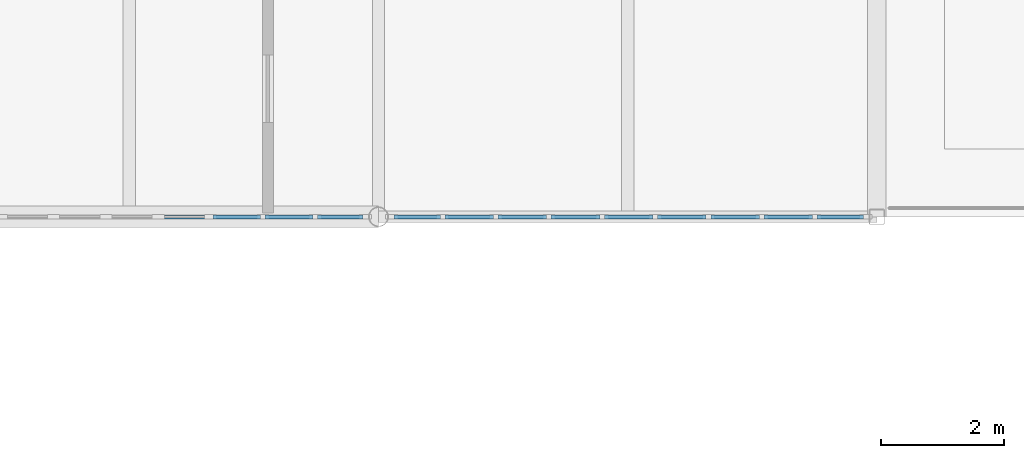
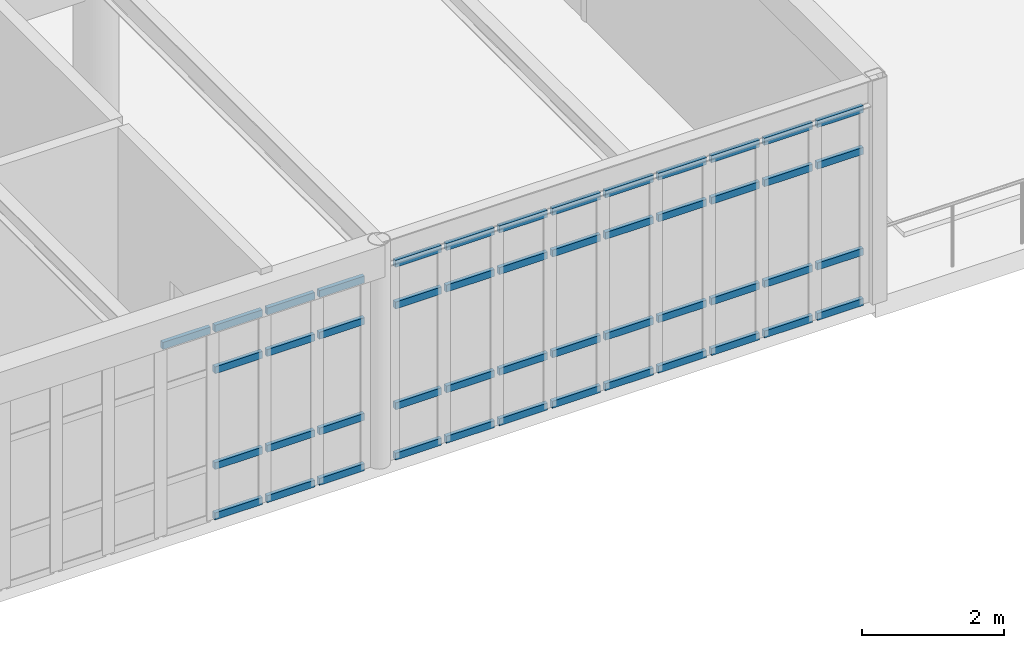
# One storey, part 20 of 36: 49 members, 2 elements without a shape of their own.
"""IFC4 building model written with IfcOpenShell, lengths in metres."""

from ifc_helpers import new_model, si_unit, direction, frame, origin, origin_2d, place, context, subcontext, project, spatial, rectangle, extrude, material, material_profile, profile_set, type_object, element, aggregate, save


model = new_model("IFC4")

# Units and contexts
model_context = context("Model", 3, precision=1e-05, world=origin(), true_north=direction((0.0, 1.0)))
body_context = subcontext(model_context, "Body", "Model", "MODEL_VIEW")
ifc_project = project(units=[si_unit("LENGTHUNIT", "METRE"), si_unit("AREAUNIT", "SQUARE_METRE"), si_unit("VOLUMEUNIT", "CUBIC_METRE"), si_unit("PLANEANGLEUNIT", "RADIAN"), si_unit("MASSUNIT", "GRAM", prefix="KILO")], contexts=[model_context])

# Site, building, storey
site_placement = place(None, origin())
site = spatial("IfcSite", under=ifc_project, at=site_placement, CompositionType="ELEMENT")
building_placement = place(site_placement, origin())
building = spatial("IfcBuilding", under=site, at=building_placement, Name="Tarnveldt Square Police Headquarters", CompositionType="ELEMENT")
storey_placement = place(building_placement, frame((0.0, 0.0, 24.89990234375)))
storey = spatial("IfcBuildingStorey", under=building, at=storey_placement, Name="L05", CompositionType="ELEMENT", Elevation=24.89990234375)

# Curtain wall, members
ifc_material_1 = material(Name="Triple-glazed low-e laminated vision glass", Category="glass")
curtain_wall_type_1 = type_object("IfcCurtainWallType", Name="CW-LB-766x330", PredefinedType="USERDEFINED", material=ifc_material_1)
curtain_wall_1_placement = place(storey_placement, origin())
curtain_wall_1 = element("IfcCurtainWall", 1, at=curtain_wall_1_placement, inside=storey, type_object=curtain_wall_type_1, Name="L05 Curtain Wall CW-L05-136", ObjectType="GLAZED CURTAIN WALL", PredefinedType="USERDEFINED")
ifc_material_2 = material(Name="Thermally broken anodised aluminium 6063-T6", Category="aluminium")
ifc_material_profile = material_profile(ifc_material_2, rectangle(XDim=0.06494140625, YDim=0.1201171875, at=origin_2d()), Name="CW-T65x120")
ifc_profile_set = profile_set([ifc_material_profile], Name="Thermally broken anodised aluminium 6063-T6")
member_type = type_object("IfcMemberType", Name="CWT-65x120", PredefinedType="USERDEFINED", material=ifc_profile_set)
member_1_placement = place(storey_placement, frame((77.45703125, 96.0, 3.26953125), z_axis=(1.0, 0.0, 0.0), x_axis=(0.0, 1.0, 0.0)))
member_1 = element("IfcMember", 2, at=member_1_placement, type_object=member_type, Name="CW-LB83 transom 6.4", ObjectType="TRANSOM", PredefinedType="USERDEFINED", context=body_context, shape_type="SweptSolid", body=[
    extrude(rectangle(XDim=0.06494140625, YDim=0.1201171875, at=origin_2d()), origin(), (0.0, 0.0, 1.0), 0.77587890625),
])
member_2_placement = place(storey_placement, frame((78.307861328125, 96.0, 0.03271484375), z_axis=(1.0, 0.0, 0.0), x_axis=(0.0, 1.0, 0.0)))
member_2 = element("IfcMember", 3, at=member_2_placement, type_object=member_type, Name="CW-LB83 transom 7.1", ObjectType="TRANSOM", PredefinedType="USERDEFINED", context=body_context, shape_type="SweptSolid", body=[
    extrude(rectangle(XDim=0.06494140625, YDim=0.1201171875, at=origin_2d()), origin(), (0.0, 0.0, 1.0), 0.77587890625),
])
member_3_placement = place(storey_placement, frame((78.307861328125, 96.0, 0.900146484375), z_axis=(1.0, 0.0, 0.0), x_axis=(0.0, 1.0, 0.0)))
member_3 = element("IfcMember", 4, at=member_3_placement, type_object=member_type, Name="CW-LB83 transom 7.2", ObjectType="TRANSOM", PredefinedType="USERDEFINED", context=body_context, shape_type="SweptSolid", body=[
    extrude(rectangle(XDim=0.06494140625, YDim=0.1201171875, at=origin_2d()), origin(), (0.0, 0.0, 1.0), 0.77587890625),
])
member_4_placement = place(storey_placement, frame((78.307861328125, 96.0, 2.552001953125), z_axis=(1.0, 0.0, 0.0), x_axis=(0.0, 1.0, 0.0)))
member_4 = element("IfcMember", 5, at=member_4_placement, type_object=member_type, Name="CW-LB83 transom 7.3", ObjectType="TRANSOM", PredefinedType="USERDEFINED", context=body_context, shape_type="SweptSolid", body=[
    extrude(rectangle(XDim=0.06494140625, YDim=0.1201171875, at=origin_2d()), origin(), (0.0, 0.0, 1.0), 0.77587890625),
])
member_5_placement = place(storey_placement, frame((78.307861328125, 96.0, 3.26953125), z_axis=(1.0, 0.0, 0.0), x_axis=(0.0, 1.0, 0.0)))
member_5 = element("IfcMember", 6, at=member_5_placement, type_object=member_type, Name="CW-LB83 transom 7.4", ObjectType="TRANSOM", PredefinedType="USERDEFINED", context=body_context, shape_type="SweptSolid", body=[
    extrude(rectangle(XDim=0.06494140625, YDim=0.1201171875, at=origin_2d()), origin(), (0.0, 0.0, 1.0), 0.77587890625),
])
member_6_placement = place(storey_placement, frame((79.15869140625, 96.0, 0.03271484375), z_axis=(1.0, 0.0, 0.0), x_axis=(0.0, 1.0, 0.0)))
member_6 = element("IfcMember", 7, at=member_6_placement, type_object=member_type, Name="CW-LB83 transom 8.1", ObjectType="TRANSOM", PredefinedType="USERDEFINED", context=body_context, shape_type="SweptSolid", body=[
    extrude(rectangle(XDim=0.06494140625, YDim=0.1201171875, at=origin_2d()), origin(), (0.0, 0.0, 1.0), 0.77587890625),
])
member_7_placement = place(storey_placement, frame((79.15869140625, 96.0, 0.900146484375), z_axis=(1.0, 0.0, 0.0), x_axis=(0.0, 1.0, 0.0)))
member_7 = element("IfcMember", 8, at=member_7_placement, type_object=member_type, Name="CW-LB83 transom 8.2", ObjectType="TRANSOM", PredefinedType="USERDEFINED", context=body_context, shape_type="SweptSolid", body=[
    extrude(rectangle(XDim=0.06494140625, YDim=0.1201171875, at=origin_2d()), origin(), (0.0, 0.0, 1.0), 0.77587890625),
])
member_8_placement = place(storey_placement, frame((79.15869140625, 96.0, 2.552001953125), z_axis=(1.0, 0.0, 0.0), x_axis=(0.0, 1.0, 0.0)))
member_8 = element("IfcMember", 9, at=member_8_placement, type_object=member_type, Name="CW-LB83 transom 8.3", ObjectType="TRANSOM", PredefinedType="USERDEFINED", context=body_context, shape_type="SweptSolid", body=[
    extrude(rectangle(XDim=0.06494140625, YDim=0.1201171875, at=origin_2d()), origin(), (0.0, 0.0, 1.0), 0.77587890625),
])
member_9_placement = place(storey_placement, frame((79.15869140625, 96.0, 3.26953125), z_axis=(1.0, 0.0, 0.0), x_axis=(0.0, 1.0, 0.0)))
member_9 = element("IfcMember", 10, at=member_9_placement, type_object=member_type, Name="CW-LB83 transom 8.4", ObjectType="TRANSOM", PredefinedType="USERDEFINED", context=body_context, shape_type="SweptSolid", body=[
    extrude(rectangle(XDim=0.06494140625, YDim=0.1201171875, at=origin_2d()), origin(), (0.0, 0.0, 1.0), 0.77587890625),
])
member_10_placement = place(storey_placement, frame((80.009521484375, 96.0, 0.03271484375), z_axis=(1.0, 0.0, 0.0), x_axis=(0.0, 1.0, 0.0)))
member_10 = element("IfcMember", 11, at=member_10_placement, type_object=member_type, Name="CW-LB83 transom 9.1", ObjectType="TRANSOM", PredefinedType="USERDEFINED", context=body_context, shape_type="SweptSolid", body=[
    extrude(rectangle(XDim=0.06494140625, YDim=0.1201171875, at=origin_2d()), origin(), (0.0, 0.0, 1.0), 0.738525390625),
])
member_11_placement = place(storey_placement, frame((80.009521484375, 96.0, 0.900146484375), z_axis=(1.0, 0.0, 0.0), x_axis=(0.0, 1.0, 0.0)))
member_11 = element("IfcMember", 12, at=member_11_placement, type_object=member_type, Name="CW-LB83 transom 9.2", ObjectType="TRANSOM", PredefinedType="USERDEFINED", context=body_context, shape_type="SweptSolid", body=[
    extrude(rectangle(XDim=0.06494140625, YDim=0.1201171875, at=origin_2d()), origin(), (0.0, 0.0, 1.0), 0.738525390625),
])
member_12_placement = place(storey_placement, frame((80.009521484375, 96.0, 2.552001953125), z_axis=(1.0, 0.0, 0.0), x_axis=(0.0, 1.0, 0.0)))
member_12 = element("IfcMember", 13, at=member_12_placement, type_object=member_type, Name="CW-LB83 transom 9.3", ObjectType="TRANSOM", PredefinedType="USERDEFINED", context=body_context, shape_type="SweptSolid", body=[
    extrude(rectangle(XDim=0.06494140625, YDim=0.1201171875, at=origin_2d()), origin(), (0.0, 0.0, 1.0), 0.738525390625),
])
member_13_placement = place(storey_placement, frame((80.009521484375, 96.0, 3.26953125), z_axis=(1.0, 0.0, 0.0), x_axis=(0.0, 1.0, 0.0)))
member_13 = element("IfcMember", 14, at=member_13_placement, type_object=member_type, Name="CW-LB83 transom 9.4", ObjectType="TRANSOM", PredefinedType="USERDEFINED", context=body_context, shape_type="SweptSolid", body=[
    extrude(rectangle(XDim=0.06494140625, YDim=0.1201171875, at=origin_2d()), origin(), (0.0, 0.0, 1.0), 0.738525390625),
])
aggregate(curtain_wall_1, [member_1, member_2, member_3, member_4, member_5, member_6, member_7, member_8, member_9, member_10, member_11, member_12, member_13])

curtain_wall_type_2 = type_object("IfcCurtainWallType", Name="CW-LB-778x339", PredefinedType="USERDEFINED", material=ifc_material_1)
curtain_wall_2_placement = place(storey_placement, origin())
curtain_wall_2 = element("IfcCurtainWall", 15, at=curtain_wall_2_placement, inside=storey, type_object=curtain_wall_type_2, Name="L05 Curtain Wall CW-L05-137", ObjectType="GLAZED CURTAIN WALL", PredefinedType="USERDEFINED")
member_14_placement = place(storey_placement, frame((81.251953125, 96.0, 0.03271484375), z_axis=(1.0, 0.0, 0.0), x_axis=(0.0, 1.0, 0.0)))
member_14 = element("IfcMember", 16, at=member_14_placement, type_object=member_type, Name="CW-LB84 transom 1.1", ObjectType="TRANSOM", PredefinedType="USERDEFINED", context=body_context, shape_type="SweptSolid", body=[
    extrude(rectangle(XDim=0.06494140625, YDim=0.1201171875, at=origin_2d()), origin(), (0.0, 0.0, 1.0), 0.752197265625),
])
member_15_placement = place(storey_placement, frame((81.251953125, 96.0, 0.900146484375), z_axis=(1.0, 0.0, 0.0), x_axis=(0.0, 1.0, 0.0)))
member_15 = element("IfcMember", 17, at=member_15_placement, type_object=member_type, Name="CW-LB84 transom 1.2", ObjectType="TRANSOM", PredefinedType="USERDEFINED", context=body_context, shape_type="SweptSolid", body=[
    extrude(rectangle(XDim=0.06494140625, YDim=0.1201171875, at=origin_2d()), origin(), (0.0, 0.0, 1.0), 0.752197265625),
])
member_16_placement = place(storey_placement, frame((81.251953125, 96.0, 2.63916015625), z_axis=(1.0, 0.0, 0.0), x_axis=(0.0, 1.0, 0.0)))
member_16 = element("IfcMember", 18, at=member_16_placement, type_object=member_type, Name="CW-LB84 transom 1.3", ObjectType="TRANSOM", PredefinedType="USERDEFINED", context=body_context, shape_type="SweptSolid", body=[
    extrude(rectangle(XDim=0.06494140625, YDim=0.1201171875, at=origin_2d()), origin(), (0.0, 0.0, 1.0), 0.752197265625),
])
member_17_placement = place(storey_placement, frame((81.251953125, 96.0, 3.356689453125), z_axis=(1.0, 0.0, 0.0), x_axis=(0.0, 1.0, 0.0)))
member_17 = element("IfcMember", 19, at=member_17_placement, type_object=member_type, Name="CW-LB84 transom 1.4", ObjectType="TRANSOM", PredefinedType="USERDEFINED", context=body_context, shape_type="SweptSolid", body=[
    extrude(rectangle(XDim=0.06494140625, YDim=0.1201171875, at=origin_2d()), origin(), (0.0, 0.0, 1.0), 0.752197265625),
])
member_18_placement = place(storey_placement, frame((82.0791015625, 96.0, 0.03271484375), z_axis=(1.0, 0.0, 0.0), x_axis=(0.0, 1.0, 0.0)))
member_18 = element("IfcMember", 20, at=member_18_placement, type_object=member_type, Name="CW-LB84 transom 2.1", ObjectType="TRANSOM", PredefinedType="USERDEFINED", context=body_context, shape_type="SweptSolid", body=[
    extrude(rectangle(XDim=0.06494140625, YDim=0.1201171875, at=origin_2d()), origin(), (0.0, 0.0, 1.0), 0.78955078125),
])
member_19_placement = place(storey_placement, frame((82.0791015625, 96.0, 0.900146484375), z_axis=(1.0, 0.0, 0.0), x_axis=(0.0, 1.0, 0.0)))
member_19 = element("IfcMember", 21, at=member_19_placement, type_object=member_type, Name="CW-LB84 transom 2.2", ObjectType="TRANSOM", PredefinedType="USERDEFINED", context=body_context, shape_type="SweptSolid", body=[
    extrude(rectangle(XDim=0.06494140625, YDim=0.1201171875, at=origin_2d()), origin(), (0.0, 0.0, 1.0), 0.78955078125),
])
member_20_placement = place(storey_placement, frame((82.0791015625, 96.0, 2.63916015625), z_axis=(1.0, 0.0, 0.0), x_axis=(0.0, 1.0, 0.0)))
member_20 = element("IfcMember", 22, at=member_20_placement, type_object=member_type, Name="CW-LB84 transom 2.3", ObjectType="TRANSOM", PredefinedType="USERDEFINED", context=body_context, shape_type="SweptSolid", body=[
    extrude(rectangle(XDim=0.06494140625, YDim=0.1201171875, at=origin_2d()), origin(), (0.0, 0.0, 1.0), 0.78955078125),
])
member_21_placement = place(storey_placement, frame((82.0791015625, 96.0, 3.356689453125), z_axis=(1.0, 0.0, 0.0), x_axis=(0.0, 1.0, 0.0)))
member_21 = element("IfcMember", 23, at=member_21_placement, type_object=member_type, Name="CW-LB84 transom 2.4", ObjectType="TRANSOM", PredefinedType="USERDEFINED", context=body_context, shape_type="SweptSolid", body=[
    extrude(rectangle(XDim=0.06494140625, YDim=0.1201171875, at=origin_2d()), origin(), (0.0, 0.0, 1.0), 0.78955078125),
])
member_22_placement = place(storey_placement, frame((82.943603515625, 96.0, 0.03271484375), z_axis=(1.0, 0.0, 0.0), x_axis=(0.0, 1.0, 0.0)))
member_22 = element("IfcMember", 24, at=member_22_placement, type_object=member_type, Name="CW-LB84 transom 3.1", ObjectType="TRANSOM", PredefinedType="USERDEFINED", context=body_context, shape_type="SweptSolid", body=[
    extrude(rectangle(XDim=0.06494140625, YDim=0.1201171875, at=origin_2d()), origin(), (0.0, 0.0, 1.0), 0.78955078125),
])
member_23_placement = place(storey_placement, frame((82.943603515625, 96.0, 0.900146484375), z_axis=(1.0, 0.0, 0.0), x_axis=(0.0, 1.0, 0.0)))
member_23 = element("IfcMember", 25, at=member_23_placement, type_object=member_type, Name="CW-LB84 transom 3.2", ObjectType="TRANSOM", PredefinedType="USERDEFINED", context=body_context, shape_type="SweptSolid", body=[
    extrude(rectangle(XDim=0.06494140625, YDim=0.1201171875, at=origin_2d()), origin(), (0.0, 0.0, 1.0), 0.78955078125),
])
member_24_placement = place(storey_placement, frame((82.943603515625, 96.0, 2.63916015625), z_axis=(1.0, 0.0, 0.0), x_axis=(0.0, 1.0, 0.0)))
member_24 = element("IfcMember", 26, at=member_24_placement, type_object=member_type, Name="CW-LB84 transom 3.3", ObjectType="TRANSOM", PredefinedType="USERDEFINED", context=body_context, shape_type="SweptSolid", body=[
    extrude(rectangle(XDim=0.06494140625, YDim=0.1201171875, at=origin_2d()), origin(), (0.0, 0.0, 1.0), 0.78955078125),
])
member_25_placement = place(storey_placement, frame((82.943603515625, 96.0, 3.356689453125), z_axis=(1.0, 0.0, 0.0), x_axis=(0.0, 1.0, 0.0)))
member_25 = element("IfcMember", 27, at=member_25_placement, type_object=member_type, Name="CW-LB84 transom 3.4", ObjectType="TRANSOM", PredefinedType="USERDEFINED", context=body_context, shape_type="SweptSolid", body=[
    extrude(rectangle(XDim=0.06494140625, YDim=0.1201171875, at=origin_2d()), origin(), (0.0, 0.0, 1.0), 0.78955078125),
])
member_26_placement = place(storey_placement, frame((83.80810546875, 96.0, 0.03271484375), z_axis=(1.0, 0.0, 0.0), x_axis=(0.0, 1.0, 0.0)))
member_26 = element("IfcMember", 28, at=member_26_placement, type_object=member_type, Name="CW-LB84 transom 4.1", ObjectType="TRANSOM", PredefinedType="USERDEFINED", context=body_context, shape_type="SweptSolid", body=[
    extrude(rectangle(XDim=0.06494140625, YDim=0.1201171875, at=origin_2d()), origin(), (0.0, 0.0, 1.0), 0.78955078125),
])
member_27_placement = place(storey_placement, frame((83.80810546875, 96.0, 0.900146484375), z_axis=(1.0, 0.0, 0.0), x_axis=(0.0, 1.0, 0.0)))
member_27 = element("IfcMember", 29, at=member_27_placement, type_object=member_type, Name="CW-LB84 transom 4.2", ObjectType="TRANSOM", PredefinedType="USERDEFINED", context=body_context, shape_type="SweptSolid", body=[
    extrude(rectangle(XDim=0.06494140625, YDim=0.1201171875, at=origin_2d()), origin(), (0.0, 0.0, 1.0), 0.78955078125),
])
member_28_placement = place(storey_placement, frame((83.80810546875, 96.0, 2.63916015625), z_axis=(1.0, 0.0, 0.0), x_axis=(0.0, 1.0, 0.0)))
member_28 = element("IfcMember", 30, at=member_28_placement, type_object=member_type, Name="CW-LB84 transom 4.3", ObjectType="TRANSOM", PredefinedType="USERDEFINED", context=body_context, shape_type="SweptSolid", body=[
    extrude(rectangle(XDim=0.06494140625, YDim=0.1201171875, at=origin_2d()), origin(), (0.0, 0.0, 1.0), 0.78955078125),
])
member_29_placement = place(storey_placement, frame((83.80810546875, 96.0, 3.356689453125), z_axis=(1.0, 0.0, 0.0), x_axis=(0.0, 1.0, 0.0)))
member_29 = element("IfcMember", 31, at=member_29_placement, type_object=member_type, Name="CW-LB84 transom 4.4", ObjectType="TRANSOM", PredefinedType="USERDEFINED", context=body_context, shape_type="SweptSolid", body=[
    extrude(rectangle(XDim=0.06494140625, YDim=0.1201171875, at=origin_2d()), origin(), (0.0, 0.0, 1.0), 0.78955078125),
])
member_30_placement = place(storey_placement, frame((84.672607421875, 96.0, 0.03271484375), z_axis=(1.0, 0.0, 0.0), x_axis=(0.0, 1.0, 0.0)))
member_30 = element("IfcMember", 32, at=member_30_placement, type_object=member_type, Name="CW-LB84 transom 5.1", ObjectType="TRANSOM", PredefinedType="USERDEFINED", context=body_context, shape_type="SweptSolid", body=[
    extrude(rectangle(XDim=0.06494140625, YDim=0.1201171875, at=origin_2d()), origin(), (0.0, 0.0, 1.0), 0.78955078125),
])
member_31_placement = place(storey_placement, frame((84.672607421875, 96.0, 0.900146484375), z_axis=(1.0, 0.0, 0.0), x_axis=(0.0, 1.0, 0.0)))
member_31 = element("IfcMember", 33, at=member_31_placement, type_object=member_type, Name="CW-LB84 transom 5.2", ObjectType="TRANSOM", PredefinedType="USERDEFINED", context=body_context, shape_type="SweptSolid", body=[
    extrude(rectangle(XDim=0.06494140625, YDim=0.1201171875, at=origin_2d()), origin(), (0.0, 0.0, 1.0), 0.78955078125),
])
member_32_placement = place(storey_placement, frame((84.672607421875, 96.0, 2.63916015625), z_axis=(1.0, 0.0, 0.0), x_axis=(0.0, 1.0, 0.0)))
member_32 = element("IfcMember", 34, at=member_32_placement, type_object=member_type, Name="CW-LB84 transom 5.3", ObjectType="TRANSOM", PredefinedType="USERDEFINED", context=body_context, shape_type="SweptSolid", body=[
    extrude(rectangle(XDim=0.06494140625, YDim=0.1201171875, at=origin_2d()), origin(), (0.0, 0.0, 1.0), 0.78955078125),
])
member_33_placement = place(storey_placement, frame((84.672607421875, 96.0, 3.356689453125), z_axis=(1.0, 0.0, 0.0), x_axis=(0.0, 1.0, 0.0)))
member_33 = element("IfcMember", 35, at=member_33_placement, type_object=member_type, Name="CW-LB84 transom 5.4", ObjectType="TRANSOM", PredefinedType="USERDEFINED", context=body_context, shape_type="SweptSolid", body=[
    extrude(rectangle(XDim=0.06494140625, YDim=0.1201171875, at=origin_2d()), origin(), (0.0, 0.0, 1.0), 0.78955078125),
])
member_34_placement = place(storey_placement, frame((85.537353515625, 96.0, 0.03271484375), z_axis=(1.0, 0.0, 0.0), x_axis=(0.0, 1.0, 0.0)))
member_34 = element("IfcMember", 36, at=member_34_placement, type_object=member_type, Name="CW-LB84 transom 6.1", ObjectType="TRANSOM", PredefinedType="USERDEFINED", context=body_context, shape_type="SweptSolid", body=[
    extrude(rectangle(XDim=0.06494140625, YDim=0.1201171875, at=origin_2d()), origin(), (0.0, 0.0, 1.0), 0.78955078125),
])
member_35_placement = place(storey_placement, frame((85.537353515625, 96.0, 0.900146484375), z_axis=(1.0, 0.0, 0.0), x_axis=(0.0, 1.0, 0.0)))
member_35 = element("IfcMember", 37, at=member_35_placement, type_object=member_type, Name="CW-LB84 transom 6.2", ObjectType="TRANSOM", PredefinedType="USERDEFINED", context=body_context, shape_type="SweptSolid", body=[
    extrude(rectangle(XDim=0.06494140625, YDim=0.1201171875, at=origin_2d()), origin(), (0.0, 0.0, 1.0), 0.78955078125),
])
member_36_placement = place(storey_placement, frame((85.537353515625, 96.0, 2.63916015625), z_axis=(1.0, 0.0, 0.0), x_axis=(0.0, 1.0, 0.0)))
member_36 = element("IfcMember", 38, at=member_36_placement, type_object=member_type, Name="CW-LB84 transom 6.3", ObjectType="TRANSOM", PredefinedType="USERDEFINED", context=body_context, shape_type="SweptSolid", body=[
    extrude(rectangle(XDim=0.06494140625, YDim=0.1201171875, at=origin_2d()), origin(), (0.0, 0.0, 1.0), 0.78955078125),
])
member_37_placement = place(storey_placement, frame((85.537353515625, 96.0, 3.356689453125), z_axis=(1.0, 0.0, 0.0), x_axis=(0.0, 1.0, 0.0)))
member_37 = element("IfcMember", 39, at=member_37_placement, type_object=member_type, Name="CW-LB84 transom 6.4", ObjectType="TRANSOM", PredefinedType="USERDEFINED", context=body_context, shape_type="SweptSolid", body=[
    extrude(rectangle(XDim=0.06494140625, YDim=0.1201171875, at=origin_2d()), origin(), (0.0, 0.0, 1.0), 0.78955078125),
])
member_38_placement = place(storey_placement, frame((86.40185546875, 96.0, 0.03271484375), z_axis=(1.0, 0.0, 0.0), x_axis=(0.0, 1.0, 0.0)))
member_38 = element("IfcMember", 40, at=member_38_placement, type_object=member_type, Name="CW-LB84 transom 7.1", ObjectType="TRANSOM", PredefinedType="USERDEFINED", context=body_context, shape_type="SweptSolid", body=[
    extrude(rectangle(XDim=0.06494140625, YDim=0.1201171875, at=origin_2d()), origin(), (0.0, 0.0, 1.0), 0.78955078125),
])
member_39_placement = place(storey_placement, frame((86.40185546875, 96.0, 0.900146484375), z_axis=(1.0, 0.0, 0.0), x_axis=(0.0, 1.0, 0.0)))
member_39 = element("IfcMember", 41, at=member_39_placement, type_object=member_type, Name="CW-LB84 transom 7.2", ObjectType="TRANSOM", PredefinedType="USERDEFINED", context=body_context, shape_type="SweptSolid", body=[
    extrude(rectangle(XDim=0.06494140625, YDim=0.1201171875, at=origin_2d()), origin(), (0.0, 0.0, 1.0), 0.78955078125),
])
member_40_placement = place(storey_placement, frame((86.40185546875, 96.0, 2.63916015625), z_axis=(1.0, 0.0, 0.0), x_axis=(0.0, 1.0, 0.0)))
member_40 = element("IfcMember", 42, at=member_40_placement, type_object=member_type, Name="CW-LB84 transom 7.3", ObjectType="TRANSOM", PredefinedType="USERDEFINED", context=body_context, shape_type="SweptSolid", body=[
    extrude(rectangle(XDim=0.06494140625, YDim=0.1201171875, at=origin_2d()), origin(), (0.0, 0.0, 1.0), 0.78955078125),
])
member_41_placement = place(storey_placement, frame((86.40185546875, 96.0, 3.356689453125), z_axis=(1.0, 0.0, 0.0), x_axis=(0.0, 1.0, 0.0)))
member_41 = element("IfcMember", 43, at=member_41_placement, type_object=member_type, Name="CW-LB84 transom 7.4", ObjectType="TRANSOM", PredefinedType="USERDEFINED", context=body_context, shape_type="SweptSolid", body=[
    extrude(rectangle(XDim=0.06494140625, YDim=0.1201171875, at=origin_2d()), origin(), (0.0, 0.0, 1.0), 0.78955078125),
])
member_42_placement = place(storey_placement, frame((87.266357421875, 96.0, 0.03271484375), z_axis=(1.0, 0.0, 0.0), x_axis=(0.0, 1.0, 0.0)))
member_42 = element("IfcMember", 44, at=member_42_placement, type_object=member_type, Name="CW-LB84 transom 8.1", ObjectType="TRANSOM", PredefinedType="USERDEFINED", context=body_context, shape_type="SweptSolid", body=[
    extrude(rectangle(XDim=0.06494140625, YDim=0.1201171875, at=origin_2d()), origin(), (0.0, 0.0, 1.0), 0.78955078125),
])
member_43_placement = place(storey_placement, frame((87.266357421875, 96.0, 0.900146484375), z_axis=(1.0, 0.0, 0.0), x_axis=(0.0, 1.0, 0.0)))
member_43 = element("IfcMember", 45, at=member_43_placement, type_object=member_type, Name="CW-LB84 transom 8.2", ObjectType="TRANSOM", PredefinedType="USERDEFINED", context=body_context, shape_type="SweptSolid", body=[
    extrude(rectangle(XDim=0.06494140625, YDim=0.1201171875, at=origin_2d()), origin(), (0.0, 0.0, 1.0), 0.78955078125),
])
member_44_placement = place(storey_placement, frame((87.266357421875, 96.0, 2.63916015625), z_axis=(1.0, 0.0, 0.0), x_axis=(0.0, 1.0, 0.0)))
member_44 = element("IfcMember", 46, at=member_44_placement, type_object=member_type, Name="CW-LB84 transom 8.3", ObjectType="TRANSOM", PredefinedType="USERDEFINED", context=body_context, shape_type="SweptSolid", body=[
    extrude(rectangle(XDim=0.06494140625, YDim=0.1201171875, at=origin_2d()), origin(), (0.0, 0.0, 1.0), 0.78955078125),
])
member_45_placement = place(storey_placement, frame((87.266357421875, 96.0, 3.356689453125), z_axis=(1.0, 0.0, 0.0), x_axis=(0.0, 1.0, 0.0)))
member_45 = element("IfcMember", 47, at=member_45_placement, type_object=member_type, Name="CW-LB84 transom 8.4", ObjectType="TRANSOM", PredefinedType="USERDEFINED", context=body_context, shape_type="SweptSolid", body=[
    extrude(rectangle(XDim=0.06494140625, YDim=0.1201171875, at=origin_2d()), origin(), (0.0, 0.0, 1.0), 0.78955078125),
])
member_46_placement = place(storey_placement, frame((88.130859375, 96.0, 0.03271484375), z_axis=(1.0, 0.0, 0.0), x_axis=(0.0, 1.0, 0.0)))
member_46 = element("IfcMember", 48, at=member_46_placement, type_object=member_type, Name="CW-LB84 transom 9.1", ObjectType="TRANSOM", PredefinedType="USERDEFINED", context=body_context, shape_type="SweptSolid", body=[
    extrude(rectangle(XDim=0.06494140625, YDim=0.1201171875, at=origin_2d()), origin(), (0.0, 0.0, 1.0), 0.752197265625),
])
member_47_placement = place(storey_placement, frame((88.130859375, 96.0, 0.900146484375), z_axis=(1.0, 0.0, 0.0), x_axis=(0.0, 1.0, 0.0)))
member_47 = element("IfcMember", 49, at=member_47_placement, type_object=member_type, Name="CW-LB84 transom 9.2", ObjectType="TRANSOM", PredefinedType="USERDEFINED", context=body_context, shape_type="SweptSolid", body=[
    extrude(rectangle(XDim=0.06494140625, YDim=0.1201171875, at=origin_2d()), origin(), (0.0, 0.0, 1.0), 0.752197265625),
])
member_48_placement = place(storey_placement, frame((88.130859375, 96.0, 2.63916015625), z_axis=(1.0, 0.0, 0.0), x_axis=(0.0, 1.0, 0.0)))
member_48 = element("IfcMember", 50, at=member_48_placement, type_object=member_type, Name="CW-LB84 transom 9.3", ObjectType="TRANSOM", PredefinedType="USERDEFINED", context=body_context, shape_type="SweptSolid", body=[
    extrude(rectangle(XDim=0.06494140625, YDim=0.1201171875, at=origin_2d()), origin(), (0.0, 0.0, 1.0), 0.752197265625),
])
member_49_placement = place(storey_placement, frame((88.130859375, 96.0, 3.356689453125), z_axis=(1.0, 0.0, 0.0), x_axis=(0.0, 1.0, 0.0)))
member_49 = element("IfcMember", 51, at=member_49_placement, type_object=member_type, Name="CW-LB84 transom 9.4", ObjectType="TRANSOM", PredefinedType="USERDEFINED", context=body_context, shape_type="SweptSolid", body=[
    extrude(rectangle(XDim=0.06494140625, YDim=0.1201171875, at=origin_2d()), origin(), (0.0, 0.0, 1.0), 0.752197265625),
])
aggregate(curtain_wall_2, [member_14, member_15, member_16, member_17, member_18, member_19, member_20, member_21, member_22, member_23, member_24, member_25, member_26, member_27, member_28, member_29, member_30, member_31, member_32, member_33, member_34, member_35, member_36, member_37, member_38, member_39, member_40, member_41, member_42, member_43, member_44, member_45, member_46, member_47, member_48, member_49])

save(model, "model.ifc")
